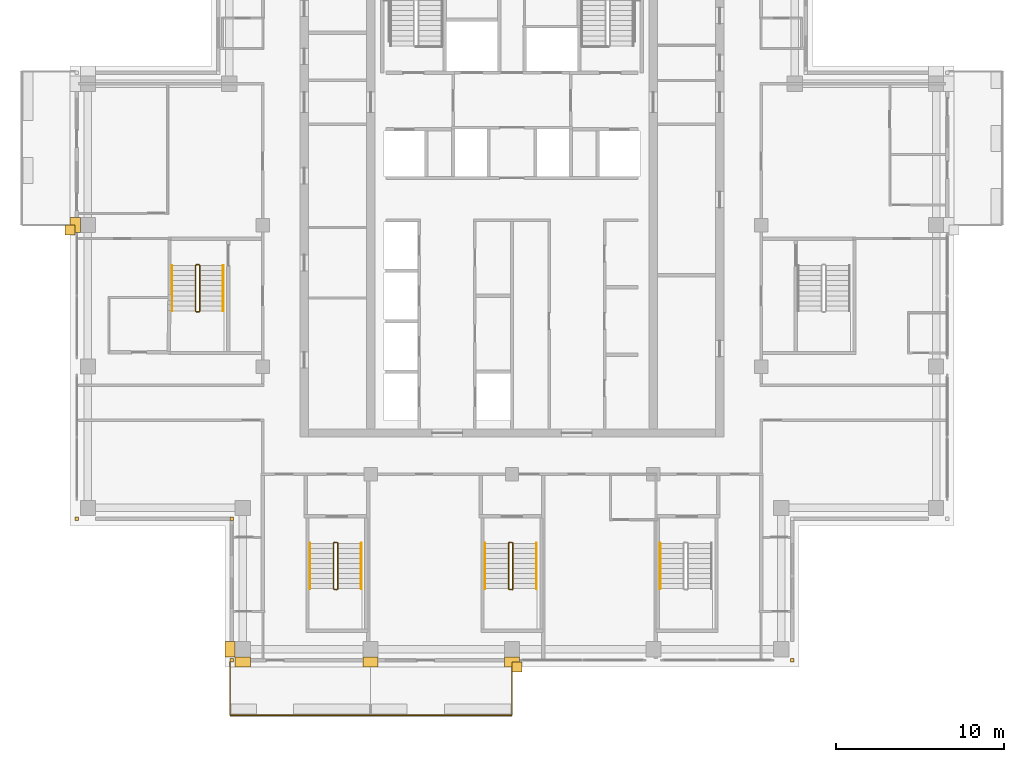
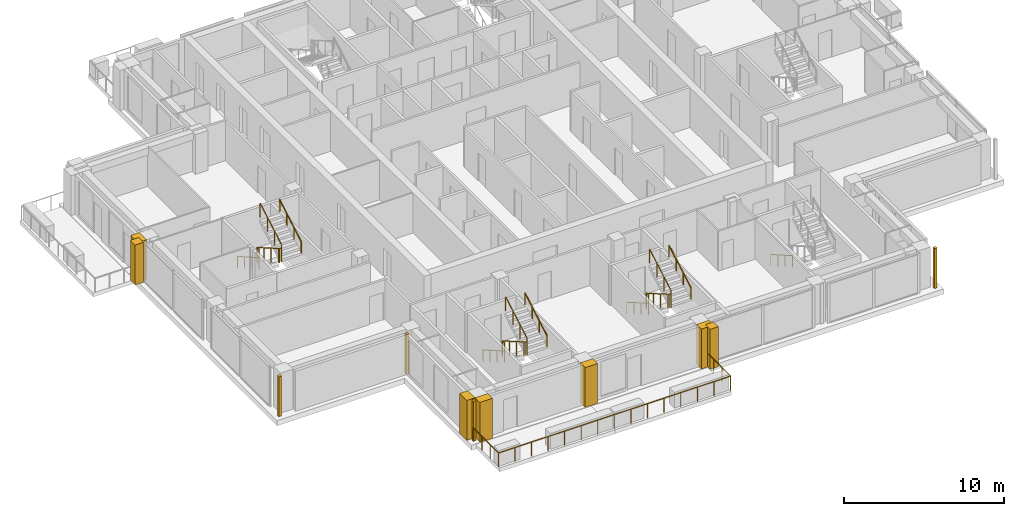
# One storey, part 13 of 15: 12 railings, 11 coverings.
"""IFC4 building model written with IfcOpenShell, lengths in metres."""

from ifc_helpers import new_model, si_unit, direction, frame, origin, origin_2d, place, context, subcontext, project, spatial, polyline, rectangle, outline, extrude, material, type_object, element, save


model = new_model("IFC4")

# Units and contexts
model_context = context("Model", 3, precision=1e-05, world=origin(), true_north=direction((0.0, 1.0)))
body_context = subcontext(model_context, "Body", "Model", "MODEL_VIEW")
ifc_project = project(units=[si_unit("LENGTHUNIT", "METRE"), si_unit("AREAUNIT", "SQUARE_METRE"), si_unit("VOLUMEUNIT", "CUBIC_METRE"), si_unit("PLANEANGLEUNIT", "RADIAN"), si_unit("MASSUNIT", "GRAM", prefix="KILO")], contexts=[model_context])

# Site, building, storey
site_placement = place(None, origin())
site = spatial("IfcSite", under=ifc_project, at=site_placement, CompositionType="ELEMENT")
building_placement = place(site_placement, origin())
building = spatial("IfcBuilding", under=site, at=building_placement, Name="Vermilion Ogive Tower", CompositionType="ELEMENT")
storey_placement = place(building_placement, frame((0.0, 0.0, 237.25)))
storey = spatial("IfcBuildingStorey", under=building, at=storey_placement, Name="L62", CompositionType="ELEMENT", Elevation=237.25)

# Railings
ifc_material_1 = material(Name="Stainless steel and glass", Category="steel")
railing_type_1 = type_object("IfcRailingType", Name="Balcony guard", PredefinedType="GUARDRAIL", material=ifc_material_1)
railing_1_placement = place(storey_placement, frame((-16.75, -21.75, -0.0400390625)))
element("IfcRailing", 1, at=railing_1_placement, inside=storey, type_object=railing_type_1, Name="Guard S01", PredefinedType="GUARDRAIL", context=body_context, shape_type="SweptSolid", body=[
    extrude(rectangle(XDim=0.048095703125, YDim=0.048095703125, at=origin_2d()), frame((0.0, 0.0, 1.076171875), z_axis=(0.0, -1.0, 0.0), x_axis=(1.0, 0.0, 0.0)), (0.0, 0.0, 1.0), 3.159912109375),
    extrude(rectangle(XDim=0.048095703125, YDim=0.048095703125, at=origin_2d()), frame((0.0, -3.159912109375, 1.076171875), z_axis=(1.0, 0.0, 0.0), x_axis=(0.0, 1.0, 0.0)), (0.0, 0.0, 1.0), 8.35009765625),
    extrude(rectangle(XDim=0.0419921875, YDim=0.0419921875, at=origin_2d()), origin(), (0.0, 0.0, 1.0), 1.052001953125),
    extrude(rectangle(XDim=0.0419921875, YDim=0.0419921875, at=origin_2d()), frame((0.0, -1.05322265625, 0.0)), (0.0, 0.0, 1.0), 1.052001953125),
    extrude(rectangle(XDim=0.0419921875, YDim=0.0419921875, at=origin_2d()), frame((0.0, -2.106689453125, 0.0)), (0.0, 0.0, 1.0), 1.052001953125),
    extrude(rectangle(XDim=0.0419921875, YDim=0.0419921875, at=origin_2d()), frame((0.0, -3.159912109375, 0.0)), (0.0, 0.0, 1.0), 1.052001953125),
    extrude(rectangle(XDim=0.0419921875, YDim=0.0419921875, at=origin_2d()), frame((1.19287109375, -3.159912109375, 0.0)), (0.0, 0.0, 1.0), 1.052001953125),
    extrude(rectangle(XDim=0.0419921875, YDim=0.0419921875, at=origin_2d()), frame((2.3857421875, -3.159912109375, 0.0)), (0.0, 0.0, 1.0), 1.052001953125),
    extrude(rectangle(XDim=0.0419921875, YDim=0.0419921875, at=origin_2d()), frame((3.57861328125, -3.159912109375, 0.0)), (0.0, 0.0, 1.0), 1.052001953125),
    extrude(rectangle(XDim=0.0419921875, YDim=0.0419921875, at=origin_2d()), frame((4.771484375, -3.159912109375, 0.0)), (0.0, 0.0, 1.0), 1.052001953125),
    extrude(rectangle(XDim=0.0419921875, YDim=0.0419921875, at=origin_2d()), frame((5.96435546875, -3.159912109375, 0.0)), (0.0, 0.0, 1.0), 1.052001953125),
    extrude(rectangle(XDim=0.0419921875, YDim=0.0419921875, at=origin_2d()), frame((7.1572265625, -3.159912109375, 0.0)), (0.0, 0.0, 1.0), 1.052001953125),
    extrude(rectangle(XDim=0.0419921875, YDim=0.0419921875, at=origin_2d()), frame((8.35009765625, -3.159912109375, 0.0)), (0.0, 0.0, 1.0), 1.052001953125),
])
railing_2_placement = place(storey_placement, frame((-8.39990234375, -24.909912109375, -0.0400390625)))
element("IfcRailing", 2, at=railing_2_placement, inside=storey, type_object=railing_type_1, Name="Guard S02", PredefinedType="GUARDRAIL", context=body_context, shape_type="SweptSolid", body=[
    extrude(rectangle(XDim=0.048095703125, YDim=0.048095703125, at=origin_2d()), frame((0.0, 0.0, 1.076171875), z_axis=(1.0, 0.0, 0.0), x_axis=(0.0, 1.0, 0.0)), (0.0, 0.0, 1.0), 8.39990234375),
    extrude(rectangle(XDim=0.048095703125, YDim=0.048095703125, at=origin_2d()), frame((8.39990234375, 0.0, 1.076171875), z_axis=(0.0, 1.0, 0.0), x_axis=(-1.0, 0.0, 0.0)), (0.0, 0.0, 1.0), 3.159912109375),
    extrude(rectangle(XDim=0.0419921875, YDim=0.0419921875, at=origin_2d()), origin(), (0.0, 0.0, 1.0), 1.052001953125),
    extrude(rectangle(XDim=0.0419921875, YDim=0.0419921875, at=origin_2d()), frame((1.199951171875, 0.0, 0.0)), (0.0, 0.0, 1.0), 1.052001953125),
    extrude(rectangle(XDim=0.0419921875, YDim=0.0419921875, at=origin_2d()), frame((2.39990234375, 0.0, 0.0)), (0.0, 0.0, 1.0), 1.052001953125),
    extrude(rectangle(XDim=0.0419921875, YDim=0.0419921875, at=origin_2d()), frame((3.599853515625, 0.0, 0.0)), (0.0, 0.0, 1.0), 1.052001953125),
    extrude(rectangle(XDim=0.0419921875, YDim=0.0419921875, at=origin_2d()), frame((4.800048828125, 0.0, 0.0)), (0.0, 0.0, 1.0), 1.052001953125),
    extrude(rectangle(XDim=0.0419921875, YDim=0.0419921875, at=origin_2d()), frame((6.0, 0.0, 0.0)), (0.0, 0.0, 1.0), 1.052001953125),
    extrude(rectangle(XDim=0.0419921875, YDim=0.0419921875, at=origin_2d()), frame((7.199951171875, 0.0, 0.0)), (0.0, 0.0, 1.0), 1.052001953125),
    extrude(rectangle(XDim=0.0419921875, YDim=0.0419921875, at=origin_2d()), frame((8.39990234375, 0.0, 0.0)), (0.0, 0.0, 1.0), 1.052001953125),
    extrude(rectangle(XDim=0.0419921875, YDim=0.0419921875, at=origin_2d()), frame((8.39990234375, 1.05322265625, 0.0)), (0.0, 0.0, 1.0), 1.052001953125),
    extrude(rectangle(XDim=0.0419921875, YDim=0.0419921875, at=origin_2d()), frame((8.39990234375, 2.106689453125, 0.0)), (0.0, 0.0, 1.0), 1.052001953125),
    extrude(rectangle(XDim=0.0419921875, YDim=0.0419921875, at=origin_2d()), frame((8.39990234375, 3.159912109375, 0.0)), (0.0, 0.0, 1.0), 1.052001953125),
])
ifc_material_2 = material(Name="Steel S355 painted", Category="steel")
railing_type_2 = type_object("IfcRailingType", Name="Stair guard 1100", PredefinedType="GUARDRAIL", material=ifc_material_2)
railing_3_placement = place(storey_placement, frame((-10.39990234375, -14.64990234375, 0.0)))
element("IfcRailing", 3, at=railing_3_placement, inside=storey, type_object=railing_type_2, Name="L62 ST3 stair guard 4", PredefinedType="GUARDRAIL", context=body_context, shape_type="SweptSolid", body=[
    extrude(rectangle(XDim=0.048095703125, YDim=0.048095703125, at=origin_2d()), frame((0.0, 0.0, 1.076171875), z_axis=(-1.0, 0.0, 0.0), x_axis=(0.0, -1.0, 0.0)), (0.0, 0.0, 1.0), 0.150146484375),
    extrude(rectangle(XDim=0.048095703125, YDim=0.048095703125, at=origin_2d()), frame((-0.150146484375, 0.0, 1.076171875), z_axis=(-0.268277960024, -0.268277960024, 0.925231793839), x_axis=(0.707106781187, -0.707106781187, 0.0)), (0.0, 0.0, 1.0), 0.1865234375),
    extrude(rectangle(XDim=0.048095703125, YDim=0.048095703125, at=origin_2d()), frame((-0.2001953125, -0.050048828125, 1.24853515625), z_axis=(0.0, -0.866903762492, 0.498475542607), x_axis=(1.0, 0.0, 0.0)), (0.0, 0.0, 1.0), 3.114501953125),
    extrude(rectangle(XDim=0.048095703125, YDim=0.048095703125, at=origin_2d()), frame((-0.2001953125, -2.75, 2.80126953125), z_axis=(0.707106781187, -0.707106781187, 0.0), x_axis=(0.707106781187, 0.707106781187, 0.0)), (0.0, 0.0, 1.0), 0.07080078125),
    extrude(rectangle(XDim=0.048095703125, YDim=0.048095703125, at=origin_2d()), frame((-0.150146484375, -2.800048828125, 2.80126953125), z_axis=(1.0, 0.0, 0.0), x_axis=(0.0, 1.0, 0.0)), (0.0, 0.0, 1.0), 0.150146484375),
    extrude(rectangle(XDim=0.048095703125, YDim=0.048095703125, at=origin_2d()), frame((0.0, -2.800048828125, 2.80126953125), z_axis=(0.267386790225, 0.268697509785, 0.925368009307), x_axis=(-0.708833529934, 0.705375805398, 0.0)), (0.0, 0.0, 1.0), 0.186279296875),
    extrude(rectangle(XDim=0.048095703125, YDim=0.048095703125, at=origin_2d()), frame((0.0498046875, -2.75, 2.9736328125), z_axis=(0.0, 0.866903762492, 0.498475542607), x_axis=(-1.0, 0.0, 0.0)), (0.0, 0.0, 1.0), 3.114501953125),
    extrude(rectangle(XDim=0.0419921875, YDim=0.0419921875, at=origin_2d()), origin(), (0.0, 0.0, 1.0), 1.052001953125),
    extrude(rectangle(XDim=0.0419921875, YDim=0.0419921875, at=origin_2d()), frame((-0.150146484375, 0.0, 0.0)), (0.0, 0.0, 1.0), 1.052001953125),
    extrude(rectangle(XDim=0.0419921875, YDim=0.0419921875, at=origin_2d()), frame((-0.2001953125, -0.050048828125, 0.172607421875)), (0.0, 0.0, 1.0), 1.052001953125),
    extrude(rectangle(XDim=0.0419921875, YDim=0.0419921875, at=origin_2d()), frame((-0.2001953125, -0.949951171875, 0.690185546875)), (0.0, 0.0, 1.0), 1.052001953125),
    extrude(rectangle(XDim=0.0419921875, YDim=0.0419921875, at=origin_2d()), frame((-0.2001953125, -1.85009765625, 1.20751953125)), (0.0, 0.0, 1.0), 1.052001953125),
    extrude(rectangle(XDim=0.0419921875, YDim=0.0419921875, at=origin_2d()), frame((-0.2001953125, -2.75, 1.72509765625)), (0.0, 0.0, 1.0), 1.052001953125),
    extrude(rectangle(XDim=0.0419921875, YDim=0.0419921875, at=origin_2d()), frame((-0.150146484375, -2.800048828125, 1.72509765625)), (0.0, 0.0, 1.0), 1.052001953125),
    extrude(rectangle(XDim=0.0419921875, YDim=0.0419921875, at=origin_2d()), frame((0.0, -2.800048828125, 1.72509765625)), (0.0, 0.0, 1.0), 1.052001953125),
    extrude(rectangle(XDim=0.0419921875, YDim=0.0419921875, at=origin_2d()), frame((0.0498046875, -2.75, 1.8974609375)), (0.0, 0.0, 1.0), 1.052001953125),
    extrude(rectangle(XDim=0.0419921875, YDim=0.0419921875, at=origin_2d()), frame((0.0498046875, -1.85009765625, 2.4150390625)), (0.0, 0.0, 1.0), 1.052001953125),
    extrude(rectangle(XDim=0.0419921875, YDim=0.0419921875, at=origin_2d()), frame((0.0498046875, -0.949951171875, 2.932373046875)), (0.0, 0.0, 1.0), 1.052001953125),
    extrude(rectangle(XDim=0.0419921875, YDim=0.0419921875, at=origin_2d()), frame((0.0498046875, -0.050048828125, 3.449951171875)), (0.0, 0.0, 1.0), 1.052001953125),
])
railing_4_placement = place(storey_placement, frame((0.0, -14.64990234375, 0.0)))
element("IfcRailing", 4, at=railing_4_placement, inside=storey, type_object=railing_type_2, Name="L62 ST4 stair guard 4", PredefinedType="GUARDRAIL", context=body_context, shape_type="SweptSolid", body=[
    extrude(rectangle(XDim=0.048095703125, YDim=0.048095703125, at=origin_2d()), frame((0.0, 0.0, 1.076171875), z_axis=(-1.0, 0.0, 0.0), x_axis=(0.0, -1.0, 0.0)), (0.0, 0.0, 1.0), 0.14990234375),
    extrude(rectangle(XDim=0.048095703125, YDim=0.048095703125, at=origin_2d()), frame((-0.14990234375, 0.0, 1.076171875), z_axis=(-0.268277960024, -0.268277960024, 0.925231793839), x_axis=(0.707106781187, -0.707106781187, 0.0)), (0.0, 0.0, 1.0), 0.1865234375),
    extrude(rectangle(XDim=0.048095703125, YDim=0.048095703125, at=origin_2d()), frame((-0.199951171875, -0.050048828125, 1.24853515625), z_axis=(0.0, -0.866903762492, 0.498475542607), x_axis=(1.0, 0.0, 0.0)), (0.0, 0.0, 1.0), 3.114501953125),
    extrude(rectangle(XDim=0.048095703125, YDim=0.048095703125, at=origin_2d()), frame((-0.199951171875, -2.75, 2.80126953125), z_axis=(0.707106781187, -0.707106781187, 0.0), x_axis=(0.707106781187, 0.707106781187, 0.0)), (0.0, 0.0, 1.0), 0.07080078125),
    extrude(rectangle(XDim=0.048095703125, YDim=0.048095703125, at=origin_2d()), frame((-0.14990234375, -2.800048828125, 2.80126953125), z_axis=(1.0, 0.0, 0.0), x_axis=(0.0, 1.0, 0.0)), (0.0, 0.0, 1.0), 0.14990234375),
    extrude(rectangle(XDim=0.048095703125, YDim=0.048095703125, at=origin_2d()), frame((0.0, -2.800048828125, 2.80126953125), z_axis=(0.268603158521, 0.268603158521, 0.925043072762), x_axis=(-0.707106781187, 0.707106781187, 0.0)), (0.0, 0.0, 1.0), 0.186279296875),
    extrude(rectangle(XDim=0.048095703125, YDim=0.048095703125, at=origin_2d()), frame((0.050048828125, -2.75, 2.9736328125), z_axis=(0.0, 0.866903762492, 0.498475542607), x_axis=(-1.0, 0.0, 0.0)), (0.0, 0.0, 1.0), 3.114501953125),
    extrude(rectangle(XDim=0.0419921875, YDim=0.0419921875, at=origin_2d()), origin(), (0.0, 0.0, 1.0), 1.052001953125),
    extrude(rectangle(XDim=0.0419921875, YDim=0.0419921875, at=origin_2d()), frame((-0.14990234375, 0.0, 0.0)), (0.0, 0.0, 1.0), 1.052001953125),
    extrude(rectangle(XDim=0.0419921875, YDim=0.0419921875, at=origin_2d()), frame((-0.199951171875, -0.050048828125, 0.172607421875)), (0.0, 0.0, 1.0), 1.052001953125),
    extrude(rectangle(XDim=0.0419921875, YDim=0.0419921875, at=origin_2d()), frame((-0.199951171875, -0.949951171875, 0.690185546875)), (0.0, 0.0, 1.0), 1.052001953125),
    extrude(rectangle(XDim=0.0419921875, YDim=0.0419921875, at=origin_2d()), frame((-0.199951171875, -1.85009765625, 1.20751953125)), (0.0, 0.0, 1.0), 1.052001953125),
    extrude(rectangle(XDim=0.0419921875, YDim=0.0419921875, at=origin_2d()), frame((-0.199951171875, -2.75, 1.72509765625)), (0.0, 0.0, 1.0), 1.052001953125),
    extrude(rectangle(XDim=0.0419921875, YDim=0.0419921875, at=origin_2d()), frame((-0.14990234375, -2.800048828125, 1.72509765625)), (0.0, 0.0, 1.0), 1.052001953125),
    extrude(rectangle(XDim=0.0419921875, YDim=0.0419921875, at=origin_2d()), frame((0.0, -2.800048828125, 1.72509765625)), (0.0, 0.0, 1.0), 1.052001953125),
    extrude(rectangle(XDim=0.0419921875, YDim=0.0419921875, at=origin_2d()), frame((0.050048828125, -2.75, 1.8974609375)), (0.0, 0.0, 1.0), 1.052001953125),
    extrude(rectangle(XDim=0.0419921875, YDim=0.0419921875, at=origin_2d()), frame((0.050048828125, -1.85009765625, 2.4150390625)), (0.0, 0.0, 1.0), 1.052001953125),
    extrude(rectangle(XDim=0.0419921875, YDim=0.0419921875, at=origin_2d()), frame((0.050048828125, -0.949951171875, 2.932373046875)), (0.0, 0.0, 1.0), 1.052001953125),
    extrude(rectangle(XDim=0.0419921875, YDim=0.0419921875, at=origin_2d()), frame((0.050048828125, -0.050048828125, 3.449951171875)), (0.0, 0.0, 1.0), 1.052001953125),
])
railing_5_placement = place(storey_placement, frame((-18.60009765625, 1.85009765625, 0.0)))
element("IfcRailing", 5, at=railing_5_placement, inside=storey, type_object=railing_type_2, Name="L62 ST9 stair guard 4", PredefinedType="GUARDRAIL", context=body_context, shape_type="SweptSolid", body=[
    extrude(rectangle(XDim=0.048095703125, YDim=0.048095703125, at=origin_2d()), frame((0.0, 0.0, 1.076171875), z_axis=(-1.0, 0.0, 0.0), x_axis=(0.0, -1.0, 0.0)), (0.0, 0.0, 1.0), 0.14990234375),
    extrude(rectangle(XDim=0.048095703125, YDim=0.048095703125, at=origin_2d()), frame((-0.14990234375, 0.0, 1.076171875), z_axis=(-0.268277960024, -0.268277960024, 0.925231793839), x_axis=(0.707106781187, -0.707106781187, 0.0)), (0.0, 0.0, 1.0), 0.1865234375),
    extrude(rectangle(XDim=0.048095703125, YDim=0.048095703125, at=origin_2d()), frame((-0.199951171875, -0.050048828125, 1.24853515625), z_axis=(0.0, -0.866903762492, 0.498475542607), x_axis=(1.0, 0.0, 0.0)), (0.0, 0.0, 1.0), 3.114501953125),
    extrude(rectangle(XDim=0.048095703125, YDim=0.048095703125, at=origin_2d()), frame((-0.199951171875, -2.75, 2.80126953125), z_axis=(0.707106781187, -0.707106781187, 0.0), x_axis=(0.707106781187, 0.707106781187, 0.0)), (0.0, 0.0, 1.0), 0.07080078125),
    extrude(rectangle(XDim=0.048095703125, YDim=0.048095703125, at=origin_2d()), frame((-0.14990234375, -2.800048828125, 2.80126953125), z_axis=(1.0, 0.0, 0.0), x_axis=(0.0, 1.0, 0.0)), (0.0, 0.0, 1.0), 0.14990234375),
    extrude(rectangle(XDim=0.048095703125, YDim=0.048095703125, at=origin_2d()), frame((0.0, -2.800048828125, 2.80126953125), z_axis=(0.268603158521, 0.268603158521, 0.925043072762), x_axis=(-0.707106781187, 0.707106781187, 0.0)), (0.0, 0.0, 1.0), 0.186279296875),
    extrude(rectangle(XDim=0.048095703125, YDim=0.048095703125, at=origin_2d()), frame((0.050048828125, -2.75, 2.9736328125), z_axis=(0.0, 0.866903762492, 0.498475542607), x_axis=(-1.0, 0.0, 0.0)), (0.0, 0.0, 1.0), 3.114501953125),
    extrude(rectangle(XDim=0.0419921875, YDim=0.0419921875, at=origin_2d()), origin(), (0.0, 0.0, 1.0), 1.052001953125),
    extrude(rectangle(XDim=0.0419921875, YDim=0.0419921875, at=origin_2d()), frame((-0.14990234375, 0.0, 0.0)), (0.0, 0.0, 1.0), 1.052001953125),
    extrude(rectangle(XDim=0.0419921875, YDim=0.0419921875, at=origin_2d()), frame((-0.199951171875, -0.050048828125, 0.172607421875)), (0.0, 0.0, 1.0), 1.052001953125),
    extrude(rectangle(XDim=0.0419921875, YDim=0.0419921875, at=origin_2d()), frame((-0.199951171875, -0.949951171875, 0.690185546875)), (0.0, 0.0, 1.0), 1.052001953125),
    extrude(rectangle(XDim=0.0419921875, YDim=0.0419921875, at=origin_2d()), frame((-0.199951171875, -1.85009765625, 1.20751953125)), (0.0, 0.0, 1.0), 1.052001953125),
    extrude(rectangle(XDim=0.0419921875, YDim=0.0419921875, at=origin_2d()), frame((-0.199951171875, -2.75, 1.72509765625)), (0.0, 0.0, 1.0), 1.052001953125),
    extrude(rectangle(XDim=0.0419921875, YDim=0.0419921875, at=origin_2d()), frame((-0.14990234375, -2.800048828125, 1.72509765625)), (0.0, 0.0, 1.0), 1.052001953125),
    extrude(rectangle(XDim=0.0419921875, YDim=0.0419921875, at=origin_2d()), frame((0.0, -2.800048828125, 1.72509765625)), (0.0, 0.0, 1.0), 1.052001953125),
    extrude(rectangle(XDim=0.0419921875, YDim=0.0419921875, at=origin_2d()), frame((0.050048828125, -2.75, 1.8974609375)), (0.0, 0.0, 1.0), 1.052001953125),
    extrude(rectangle(XDim=0.0419921875, YDim=0.0419921875, at=origin_2d()), frame((0.050048828125, -1.85009765625, 2.4150390625)), (0.0, 0.0, 1.0), 1.052001953125),
    extrude(rectangle(XDim=0.0419921875, YDim=0.0419921875, at=origin_2d()), frame((0.050048828125, -0.949951171875, 2.932373046875)), (0.0, 0.0, 1.0), 1.052001953125),
    extrude(rectangle(XDim=0.0419921875, YDim=0.0419921875, at=origin_2d()), frame((0.050048828125, -0.050048828125, 3.449951171875)), (0.0, 0.0, 1.0), 1.052001953125),
])
ifc_material_3 = material(Name="Stainless steel", Category="steel")
railing_type_3 = type_object("IfcRailingType", Name="Stair handrail 900", PredefinedType="HANDRAIL", material=ifc_material_3)
railing_6_placement = place(storey_placement, frame((-12.0, -14.699951171875, 0.172607421875)))
element("IfcRailing", 6, at=railing_6_placement, inside=storey, type_object=railing_type_3, Name="L62 ST3 stair handrail 1", PredefinedType="HANDRAIL", context=body_context, shape_type="SweptSolid", body=[
    extrude(rectangle(XDim=0.048095703125, YDim=0.048095703125, at=origin_2d()), frame((0.0, 0.0, 0.8759765625), z_axis=(0.0, -0.866903762492, 0.498475542607), x_axis=(1.0, 0.0, 0.0)), (0.0, 0.0, 1.0), 3.114501953125),
    extrude(rectangle(XDim=0.0419921875, YDim=0.0419921875, at=origin_2d()), origin(), (0.0, 0.0, 1.0), 0.851806640625),
    extrude(rectangle(XDim=0.0419921875, YDim=0.0419921875, at=origin_2d()), frame((0.0, -0.89990234375, 0.517578125)), (0.0, 0.0, 1.0), 0.851806640625),
    extrude(rectangle(XDim=0.0419921875, YDim=0.0419921875, at=origin_2d()), frame((0.0, -1.800048828125, 1.034912109375)), (0.0, 0.0, 1.0), 0.851806640625),
    extrude(rectangle(XDim=0.0419921875, YDim=0.0419921875, at=origin_2d()), frame((0.0, -2.699951171875, 1.552490234375)), (0.0, 0.0, 1.0), 0.851806640625),
])
railing_7_placement = place(storey_placement, frame((-8.949951171875, -17.39990234375, 1.8974609375)))
element("IfcRailing", 7, at=railing_7_placement, inside=storey, type_object=railing_type_3, Name="L62 ST3 stair handrail 2", PredefinedType="HANDRAIL", context=body_context, shape_type="SweptSolid", body=[
    extrude(rectangle(XDim=0.048095703125, YDim=0.048095703125, at=origin_2d()), frame((0.0, 0.0, 0.8759765625), z_axis=(0.0, 0.866903762492, 0.498475542607), x_axis=(-1.0, 0.0, 0.0)), (0.0, 0.0, 1.0), 3.114501953125),
    extrude(rectangle(XDim=0.0419921875, YDim=0.0419921875, at=origin_2d()), origin(), (0.0, 0.0, 1.0), 0.851806640625),
    extrude(rectangle(XDim=0.0419921875, YDim=0.0419921875, at=origin_2d()), frame((0.0, 0.89990234375, 0.517578125)), (0.0, 0.0, 1.0), 0.851806640625),
    extrude(rectangle(XDim=0.0419921875, YDim=0.0419921875, at=origin_2d()), frame((0.0, 1.800048828125, 1.034912109375)), (0.0, 0.0, 1.0), 0.851806640625),
    extrude(rectangle(XDim=0.0419921875, YDim=0.0419921875, at=origin_2d()), frame((0.0, 2.699951171875, 1.552490234375)), (0.0, 0.0, 1.0), 0.851806640625),
])
railing_8_placement = place(storey_placement, frame((-1.60009765625, -14.699951171875, 0.172607421875)))
element("IfcRailing", 8, at=railing_8_placement, inside=storey, type_object=railing_type_3, Name="L62 ST4 stair handrail 1", PredefinedType="HANDRAIL", context=body_context, shape_type="SweptSolid", body=[
    extrude(rectangle(XDim=0.048095703125, YDim=0.048095703125, at=origin_2d()), frame((0.0, 0.0, 0.8759765625), z_axis=(0.0, -0.866903762492, 0.498475542607), x_axis=(1.0, 0.0, 0.0)), (0.0, 0.0, 1.0), 3.114501953125),
    extrude(rectangle(XDim=0.0419921875, YDim=0.0419921875, at=origin_2d()), origin(), (0.0, 0.0, 1.0), 0.851806640625),
    extrude(rectangle(XDim=0.0419921875, YDim=0.0419921875, at=origin_2d()), frame((0.0, -0.89990234375, 0.517578125)), (0.0, 0.0, 1.0), 0.851806640625),
    extrude(rectangle(XDim=0.0419921875, YDim=0.0419921875, at=origin_2d()), frame((0.0, -1.800048828125, 1.034912109375)), (0.0, 0.0, 1.0), 0.851806640625),
    extrude(rectangle(XDim=0.0419921875, YDim=0.0419921875, at=origin_2d()), frame((0.0, -2.699951171875, 1.552490234375)), (0.0, 0.0, 1.0), 0.851806640625),
])
railing_9_placement = place(storey_placement, frame((1.449951171875, -17.39990234375, 1.8974609375)))
element("IfcRailing", 9, at=railing_9_placement, inside=storey, type_object=railing_type_3, Name="L62 ST4 stair handrail 2", PredefinedType="HANDRAIL", context=body_context, shape_type="SweptSolid", body=[
    extrude(rectangle(XDim=0.048095703125, YDim=0.048095703125, at=origin_2d()), frame((0.0, 0.0, 0.8759765625), z_axis=(0.0, 0.866903762492, 0.498475542607), x_axis=(-1.0, 0.0, 0.0)), (0.0, 0.0, 1.0), 3.114501953125),
    extrude(rectangle(XDim=0.0419921875, YDim=0.0419921875, at=origin_2d()), origin(), (0.0, 0.0, 1.0), 0.851806640625),
    extrude(rectangle(XDim=0.0419921875, YDim=0.0419921875, at=origin_2d()), frame((0.0, 0.89990234375, 0.517578125)), (0.0, 0.0, 1.0), 0.851806640625),
    extrude(rectangle(XDim=0.0419921875, YDim=0.0419921875, at=origin_2d()), frame((0.0, 1.800048828125, 1.034912109375)), (0.0, 0.0, 1.0), 0.851806640625),
    extrude(rectangle(XDim=0.0419921875, YDim=0.0419921875, at=origin_2d()), frame((0.0, 2.699951171875, 1.552490234375)), (0.0, 0.0, 1.0), 0.851806640625),
])
for number, where, name in (
    (10, (8.800048828125, -14.699951171875, 0.172607421875), "L62 ST5 stair handrail 1"),
    (11, (-20.199951171875, 1.800048828125, 0.172607421875), "L62 ST9 stair handrail 1"),
):
    element("IfcRailing", number, at=place(storey_placement, frame(where)), inside=storey, type_object=railing_type_3, Name=name, PredefinedType="HANDRAIL", context=body_context, shape_type="SweptSolid", body=[
        extrude(rectangle(XDim=0.048095703125, YDim=0.048095703125, at=origin_2d()), frame((0.0, 0.0, 0.8759765625), z_axis=(0.0, -0.866903762492, 0.498475542607), x_axis=(1.0, 0.0, 0.0)), (0.0, 0.0, 1.0), 3.114501953125),
        extrude(rectangle(XDim=0.0419921875, YDim=0.0419921875, at=origin_2d()), origin(), (0.0, 0.0, 1.0), 0.851806640625),
        extrude(rectangle(XDim=0.0419921875, YDim=0.0419921875, at=origin_2d()), frame((0.0, -0.89990234375, 0.517578125)), (0.0, 0.0, 1.0), 0.851806640625),
        extrude(rectangle(XDim=0.0419921875, YDim=0.0419921875, at=origin_2d()), frame((0.0, -1.800048828125, 1.034912109375)), (0.0, 0.0, 1.0), 0.851806640625),
        extrude(rectangle(XDim=0.0419921875, YDim=0.0419921875, at=origin_2d()), frame((0.0, -2.699951171875, 1.552490234375)), (0.0, 0.0, 1.0), 0.851806640625),
    ])
railing_10_placement = place(storey_placement, frame((-17.14990234375, -0.89990234375, 1.8974609375)))
element("IfcRailing", 12, at=railing_10_placement, inside=storey, type_object=railing_type_3, Name="L62 ST9 stair handrail 2", PredefinedType="HANDRAIL", context=body_context, shape_type="SweptSolid", body=[
    extrude(rectangle(XDim=0.048095703125, YDim=0.048095703125, at=origin_2d()), frame((0.0, 0.0, 0.8759765625), z_axis=(0.0, 0.866903762492, 0.498475542607), x_axis=(-1.0, 0.0, 0.0)), (0.0, 0.0, 1.0), 3.114501953125),
    extrude(rectangle(XDim=0.0419921875, YDim=0.0419921875, at=origin_2d()), origin(), (0.0, 0.0, 1.0), 0.851806640625),
    extrude(rectangle(XDim=0.0419921875, YDim=0.0419921875, at=origin_2d()), frame((0.0, 0.89990234375, 0.517578125)), (0.0, 0.0, 1.0), 0.851806640625),
    extrude(rectangle(XDim=0.0419921875, YDim=0.0419921875, at=origin_2d()), frame((0.0, 1.800048828125, 1.034912109375)), (0.0, 0.0, 1.0), 0.851806640625),
    extrude(rectangle(XDim=0.0419921875, YDim=0.0419921875, at=origin_2d()), frame((0.0, 2.699951171875, 1.552490234375)), (0.0, 0.0, 1.0), 0.851806640625),
])

# Coverings
ifc_material_4 = material(Name="Stone cladding", Category="masonry")
covering_type_1 = type_object("IfcCoveringType", Name="Stone corner buttress", PredefinedType="CLADDING", material=ifc_material_4)
covering_1_placement = place(storey_placement, origin())
element("IfcCovering", 13, at=covering_1_placement, inside=storey, type_object=covering_type_1, Name="Stone crease pier SK", PredefinedType="CLADDING", context=body_context, shape_type="SweptSolid", body=[
    extrude(outline(polyline([(0.0, -22.35009765625), (0.60009765625, -22.35009765625), (0.60009765625, -21.75), (0.0, -21.75), (0.0, -22.35009765625)])), origin(), (0.0, 0.0, 1.0), 3.050048828125),
])
covering_2_placement = place(storey_placement, origin())
element("IfcCovering", 14, at=covering_2_placement, inside=storey, type_object=covering_type_1, Name="Stone crease pier WK", PredefinedType="CLADDING", context=body_context, shape_type="SweptSolid", body=[
    extrude(outline(polyline([(-26.550048828125, 4.199951171875), (-26.550048828125, 3.60009765625), (-25.949951171875, 3.60009765625), (-25.949951171875, 4.199951171875), (-26.550048828125, 4.199951171875)])), origin(), (0.0, 0.0, 1.0), 3.050048828125),
])
ifc_material_5 = material(Name="Stone cladding", Category="masonry")
covering_type_2 = type_object("IfcCoveringType", Name="Stone pier", PredefinedType="CLADDING", material=ifc_material_5)
covering_3_placement = place(storey_placement, origin())
element("IfcCovering", 15, at=covering_3_placement, inside=storey, type_object=covering_type_2, Name="Stone corner pier SE1", PredefinedType="CLADDING", context=body_context, shape_type="SweptSolid", body=[
    extrude(outline(polyline([(16.550048828125, -21.550048828125), (16.75, -21.550048828125), (16.75, -21.75), (16.550048828125, -21.75), (16.550048828125, -21.550048828125)])), origin(), (0.0, 0.0, 1.0), 3.050048828125),
])
covering_4_placement = place(storey_placement, origin())
element("IfcCovering", 16, at=covering_4_placement, inside=storey, type_object=covering_type_2, Name="Stone corner pier WE1", PredefinedType="CLADDING", context=body_context, shape_type="SweptSolid", body=[
    extrude(outline(polyline([(-25.75, -13.14990234375), (-25.75, -13.35009765625), (-25.949951171875, -13.35009765625), (-25.949951171875, -13.14990234375), (-25.75, -13.14990234375)])), origin(), (0.0, 0.0, 1.0), 3.050048828125),
])
covering_5_placement = place(storey_placement, origin())
element("IfcCovering", 17, at=covering_5_placement, inside=storey, type_object=covering_type_2, Name="Stone corner pier X7E1", PredefinedType="CLADDING", context=body_context, shape_type="SweptSolid", body=[
    extrude(outline(polyline([(-16.550048828125, -13.14990234375), (-16.550048828125, -13.35009765625), (-16.75, -13.35009765625), (-16.75, -13.14990234375), (-16.550048828125, -13.14990234375)])), origin(), (0.0, 0.0, 1.0), 3.050048828125),
])
covering_6_placement = place(storey_placement, origin())
element("IfcCovering", 18, at=covering_6_placement, inside=storey, type_object=covering_type_2, Name="Stone corner pier X8E1", PredefinedType="CLADDING", context=body_context, shape_type="SweptSolid", body=[
    extrude(outline(polyline([(-16.550048828125, -21.550048828125), (-16.550048828125, -21.75), (-16.75, -21.75), (-16.75, -21.550048828125), (-16.550048828125, -21.550048828125)])), origin(), (0.0, 0.0, 1.0), 3.050048828125),
])
covering_7_placement = place(storey_placement, origin())
element("IfcCovering", 19, at=covering_7_placement, inside=storey, type_object=covering_type_2, Name="Stone pier P+0000-210", PredefinedType="CLADDING", context=body_context, shape_type="SweptSolid", body=[
    extrude(outline(polyline([(0.449951171875, -21.75), (0.0, -21.75), (0.0, -22.050048828125), (-0.449951171875, -22.050048828125), (-0.449951171875, -21.449951171875), (0.449951171875, -21.449951171875), (0.449951171875, -21.75)])), origin(), (0.0, 0.0, 1.0), 3.050048828125),
])
covering_8_placement = place(storey_placement, origin())
element("IfcCovering", 20, at=covering_8_placement, inside=storey, type_object=covering_type_2, Name="Stone pier P-0084-210", PredefinedType="CLADDING", context=body_context, shape_type="SweptSolid", body=[
    extrude(outline(polyline([(-7.949951171875, -21.449951171875), (-7.949951171875, -22.050048828125), (-8.85009765625, -22.050048828125), (-8.85009765625, -21.449951171875), (-8.85009765625, -21.449951171875), (-7.949951171875, -21.449951171875)])), origin(), (0.0, 0.0, 1.0), 3.050048828125),
])
covering_9_placement = place(storey_placement, origin())
element("IfcCovering", 21, at=covering_9_placement, inside=storey, type_object=covering_type_2, Name="Stone pier P-0160-210S", PredefinedType="CLADDING", context=body_context, shape_type="SweptSolid", body=[
    extrude(outline(polyline([(-15.550048828125, -22.050048828125), (-16.449951171875, -22.050048828125), (-16.449951171875, -21.449951171875), (-15.550048828125, -21.449951171875), (-15.550048828125, -22.050048828125)])), origin(), (0.0, 0.0, 1.0), 3.050048828125),
])
covering_10_placement = place(storey_placement, origin())
element("IfcCovering", 22, at=covering_10_placement, inside=storey, type_object=covering_type_2, Name="Stone pier P-0160-210X8", PredefinedType="CLADDING", context=body_context, shape_type="SweptSolid", body=[
    extrude(outline(polyline([(-17.050048828125, -20.550048828125), (-16.449951171875, -20.550048828125), (-16.449951171875, -21.449951171875), (-17.050048828125, -21.449951171875), (-17.050048828125, -20.550048828125)])), origin(), (0.0, 0.0, 1.0), 3.050048828125),
])
covering_11_placement = place(storey_placement, origin())
element("IfcCovering", 23, at=covering_11_placement, inside=storey, type_object=covering_type_2, Name="Stone pier P-0252+042", PredefinedType="CLADDING", context=body_context, shape_type="SweptSolid", body=[
    extrude(outline(polyline([(-25.949951171875, 3.75), (-25.949951171875, 4.199951171875), (-26.25, 4.199951171875), (-26.25, 4.64990234375), (-25.64990234375, 4.64990234375), (-25.64990234375, 3.75), (-25.949951171875, 3.75)])), origin(), (0.0, 0.0, 1.0), 3.050048828125),
])

save(model, "model.ifc")
